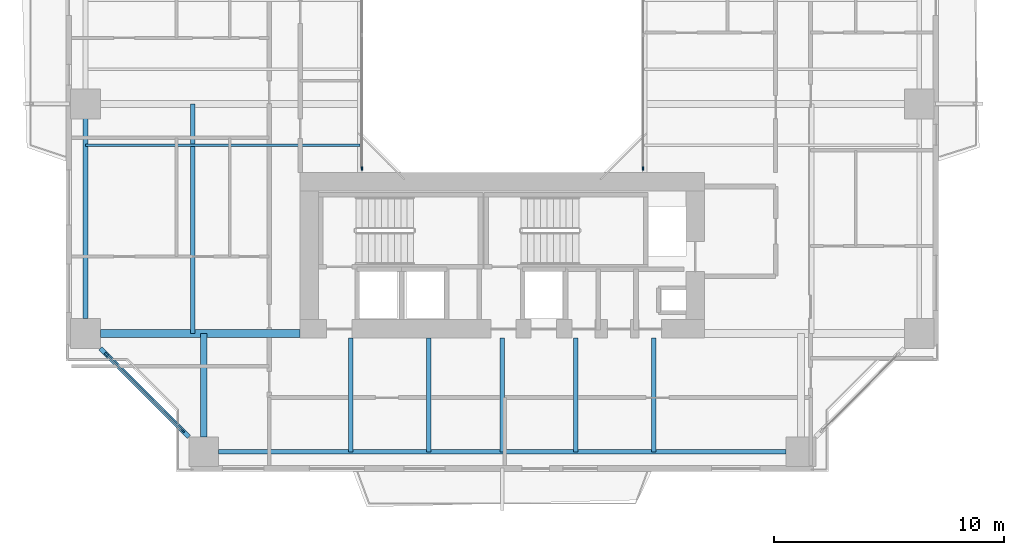
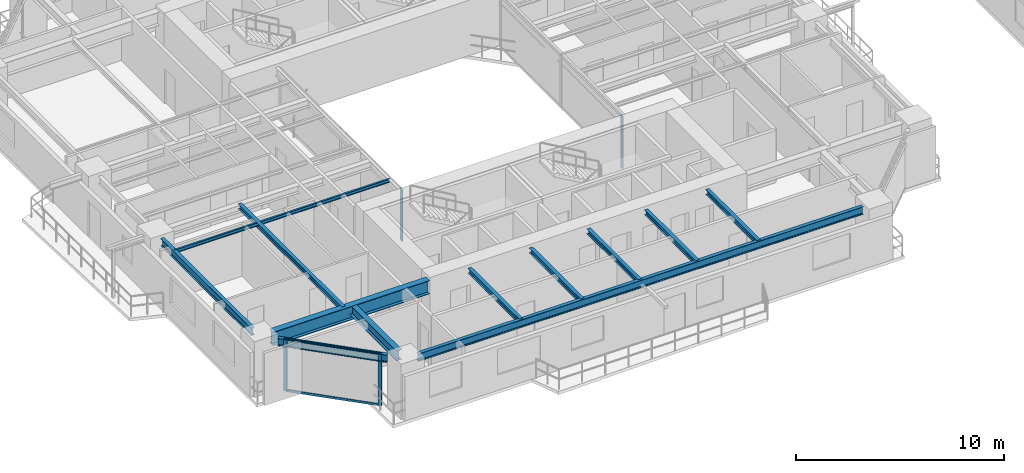
# One storey, part 2 of 23: 12 beams, 6 members, 3 elements without a shape of their own.
"""IFC4 building model written with IfcOpenShell, lengths in metres."""

from ifc_helpers import new_model, si_unit, direction, frame, origin, origin_2d, place, context, subcontext, project, spatial, rectangle, i_section, extrude, source, transform, mapped, material, layer, layer_set, material_profile, profile_set, type_object, element, aggregate, save


model = new_model("IFC4")

# Units and contexts
model_context = context("Model", 3, precision=1e-05, world=origin(), true_north=direction((0.0, 1.0)))
body_context = subcontext(model_context, "Body", "Model", "MODEL_VIEW")
ifc_project = project(units=[si_unit("LENGTHUNIT", "METRE"), si_unit("AREAUNIT", "SQUARE_METRE"), si_unit("VOLUMEUNIT", "CUBIC_METRE"), si_unit("PLANEANGLEUNIT", "RADIAN"), si_unit("MASSUNIT", "GRAM", prefix="KILO"), si_unit("THERMODYNAMICTEMPERATUREUNIT", "KELVIN"), si_unit("POWERUNIT", "WATT")], contexts=[model_context])

# Site, building, storey
site_placement = place(None, origin())
site = spatial("IfcSite", under=ifc_project, at=site_placement, CompositionType="ELEMENT")
building_placement = place(site_placement, origin())
building = spatial("IfcBuilding", under=site, at=building_placement, Name="Qiaomeng Ring Towers", CompositionType="ELEMENT")
storey_placement = place(building_placement, frame((0.0, 0.0, 32.75)))
storey = spatial("IfcBuildingStorey", under=building, at=storey_placement, Name="L08", CompositionType="ELEMENT", Elevation=32.75)

# Beams
ifc_material_1 = material(Name="Steel Q355B", Category="steel")
ifc_material_profile_1 = material_profile(ifc_material_1, i_section(OverallWidth=0.199951171875, OverallDepth=0.449951171875, WebThickness=0.009033203125, FlangeThickness=0.013916015625, FilletRadius=0.01806640625, at=origin_2d()), Name="HN 450x200x9x14")
ifc_profile_set_1 = profile_set([ifc_material_profile_1], Name="Steel Q355B")
beam_type_1 = type_object("IfcBeamType", Name="STR-BM-HN450", PredefinedType="SPANDREL", material=ifc_profile_set_1)
shared_shape_1 = source(origin(), body_context, "Body", "SweptSolid", [
    extrude(i_section(OverallWidth=0.199951171875, OverallDepth=0.449951171875, WebThickness=0.009033203125, FlangeThickness=0.013916015625, FilletRadius=0.01806640625, at=origin_2d()), origin(), (0.0, 0.0, 1.0), 24.7021484375),
])
beam_1_placement = place(storey_placement, frame((6.64892578125, 4.85009765625, 2.844970703125), z_axis=(1.0, 0.0, 0.0), x_axis=(0.0, 1.0, 0.0)))
element("IfcBeam", 1, at=beam_1_placement, inside=storey, type_object=beam_type_1, Name="L08 beam STR-SP-L08-T1-S1-S2", PredefinedType="SPANDREL", context=body_context, shape_type="MappedRepresentation", body=[
    mapped(shared_shape_1, transform((0.0, 0.0, 0.0), x_axis=(1.0, 0.0, 0.0), y_axis=(0.0, 1.0, 0.0), z_axis=(0.0, 0.0, 1.0), scale=1.0)),
])
shared_shape_2 = source(origin(), body_context, "Body", "SweptSolid", [
    extrude(i_section(OverallWidth=0.199951171875, OverallDepth=0.449951171875, WebThickness=0.009033203125, FlangeThickness=0.013916015625, FilletRadius=0.01806640625, at=origin_2d()), origin(), (0.0, 0.0, 1.0), 5.446533203125),
])
beam_2_placement = place(storey_placement, frame((1.499267578125, 9.3505859375, 2.844970703125), z_axis=(0.707106781187, -0.707106781187, 0.0), x_axis=(0.707106781187, 0.707106781187, 0.0)))
element("IfcBeam", 2, at=beam_2_placement, inside=storey, type_object=beam_type_1, Name="L08 beam STR-SP-L08-T1-W1-S1", PredefinedType="SPANDREL", context=body_context, shape_type="MappedRepresentation", body=[
    mapped(shared_shape_2, transform((0.0, 0.0, 0.0), x_axis=(1.0, 0.0, 0.0), y_axis=(0.0, 1.0, 0.0), z_axis=(0.0, 0.0, 1.0), scale=1.0)),
])
shared_shape_3 = source(origin(), body_context, "Body", "SweptSolid", [
    extrude(i_section(OverallWidth=0.199951171875, OverallDepth=0.449951171875, WebThickness=0.009033203125, FlangeThickness=0.013916015625, FilletRadius=0.01806640625, at=origin_2d()), origin(), (0.0, 0.0, 1.0), 8.7021484375),
])
beam_3_placement = place(storey_placement, frame((0.85009765625, 19.35107421875, 2.844970703125), z_axis=(0.0, -1.0, 0.0), x_axis=(1.0, 0.0, 0.0)))
element("IfcBeam", 3, at=beam_3_placement, inside=storey, type_object=beam_type_1, Name="L08 beam STR-SP-L08-T1-W2-W1", PredefinedType="SPANDREL", context=body_context, shape_type="MappedRepresentation", body=[
    mapped(shared_shape_3, transform((0.0, 0.0, 0.0), x_axis=(1.0, 0.0, 0.0), y_axis=(0.0, 1.0, 0.0), z_axis=(0.0, 0.0, 1.0), scale=1.0)),
])
ifc_material_2 = material(Name="Steel Q390GJC", Category="steel")
ifc_material_profile_2 = material_profile(ifc_material_2, i_section(OverallWidth=0.35009765625, OverallDepth=0.800048828125, WebThickness=0.01611328125, FlangeThickness=0.028076171875, at=origin_2d()), Name="WH 800x350x16x28")
ifc_profile_set_2 = profile_set([ifc_material_profile_2], Name="Steel Q390GJC")
beam_type_2 = type_object("IfcBeamType", Name="STR-BM-WH800", PredefinedType="BEAM", material=ifc_profile_set_2)
shared_shape_4 = source(origin(), body_context, "Body", "SweptSolid", [
    extrude(i_section(OverallWidth=0.35009765625, OverallDepth=0.800048828125, WebThickness=0.01611328125, FlangeThickness=0.028076171875, at=origin_2d()), origin(), (0.0, 0.0, 1.0), 8.700927734375),
])
beam_4_placement = place(storey_placement, frame((1.4990234375, 10.0, 2.669921875), z_axis=(1.0, 0.0, 0.0), x_axis=(0.0, 1.0, 0.0)))
element("IfcBeam", 4, at=beam_4_placement, inside=storey, type_object=beam_type_2, Name="L08 beam STR-BM-L08-T1-RAD-W1", PredefinedType="BEAM", context=body_context, shape_type="MappedRepresentation", body=[
    mapped(shared_shape_4, transform((0.0, 0.0, 0.0), x_axis=(1.0, 0.0, 0.0), y_axis=(0.0, 1.0, 0.0), z_axis=(0.0, 0.0, 1.0), scale=1.0)),
])
ifc_material_profile_3 = material_profile(ifc_material_1, i_section(OverallWidth=0.300048828125, OverallDepth=0.587890625, WebThickness=0.011962890625, FlangeThickness=0.02001953125, FilletRadius=0.028076171875, at=origin_2d()), Name="HM 588x300x12x20")
ifc_profile_set_3 = profile_set([ifc_material_profile_3], Name="Steel Q355B")
beam_type_3 = type_object("IfcBeamType", Name="STR-BM-HM588", PredefinedType="BEAM", material=ifc_profile_set_3)
shared_shape_5 = source(origin(), body_context, "Body", "SweptSolid", [
    extrude(i_section(OverallWidth=0.300048828125, OverallDepth=0.587890625, WebThickness=0.011962890625, FlangeThickness=0.02001953125, FilletRadius=0.028076171875, at=origin_2d()), origin(), (0.0, 0.0, 1.0), 4.5009765625),
])
beam_5_placement = place(storey_placement, frame((6.0, 5.4990234375, 2.77587890625), z_axis=(0.0, 1.0, 0.0), x_axis=(-1.0, 0.0, 0.0)))
element("IfcBeam", 5, at=beam_5_placement, inside=storey, type_object=beam_type_3, Name="L08 beam STR-BM-L08-T1-RAD-S1", PredefinedType="BEAM", context=body_context, shape_type="MappedRepresentation", body=[
    mapped(shared_shape_5, transform((0.0, 0.0, 0.0), x_axis=(1.0, 0.0, 0.0), y_axis=(0.0, 1.0, 0.0), z_axis=(0.0, 0.0, 1.0), scale=1.0)),
])
ifc_material_profile_4 = material_profile(ifc_material_1, i_section(OverallWidth=0.199951171875, OverallDepth=0.2939453125, WebThickness=0.008056640625, FlangeThickness=0.011962890625, FilletRadius=0.01806640625, at=origin_2d()), Name="HM 294x200x8x12")
ifc_profile_set_4 = profile_set([ifc_material_profile_4], Name="Steel Q355B")
beam_type_4 = type_object("IfcBeamType", Name="STR-BM-HM294", PredefinedType="JOIST", material=ifc_profile_set_4)
shared_shape_6 = source(origin(), body_context, "Body", "SweptSolid", [
    extrude(i_section(OverallWidth=0.199951171875, OverallDepth=0.2939453125, WebThickness=0.008056640625, FlangeThickness=0.011962890625, FilletRadius=0.01806640625, at=origin_2d()), origin(), (0.0, 0.0, 1.0), 4.949951171875),
])
for number, where, z_axis, x_axis, name in (
    (6, (12.39990234375, 4.85009765625, 2.923095703125), (0.0, 1.0, 0.0), (-1.0, 0.0, 0.0), "L08 beam STR-JST-L08-T1S-1"),
    (7, (15.800048828125, 4.85009765625, 2.923095703125), (0.0, 1.0, 0.0), (-1.0, 0.0, 0.0), "L08 beam STR-JST-L08-T1S-2"),
    (8, (19.0, 4.85009765625, 2.923095703125), (0.0, 1.0, 0.0), (-1.0, 0.0, 0.0), "L08 beam STR-JST-L08-T1S-3"),
    (9, (22.199951171875, 4.85009765625, 2.923095703125), (0.0, 1.0, 0.0), (-1.0, 0.0, 0.0), "L08 beam STR-JST-L08-T1S-4"),
    (10, (25.60009765625, 4.85009765625, 2.923095703125), (0.0, 1.0, 0.0), (-1.0, 0.0, 0.0), "L08 beam STR-JST-L08-T1S-5"),
):
    element("IfcBeam", number, at=place(storey_placement, frame(where, z_axis=z_axis, x_axis=x_axis)), inside=storey, type_object=beam_type_4, Name=name, PredefinedType="JOIST", context=body_context, shape_type="MappedRepresentation", body=[
        mapped(shared_shape_6, transform((0.0, 0.0, 0.0), x_axis=(1.0, 0.0, 0.0), y_axis=(0.0, 1.0, 0.0), z_axis=(0.0, 0.0, 1.0), scale=1.0)),
    ])
ifc_material_profile_5 = material_profile(ifc_material_1, i_section(OverallWidth=0.10009765625, OverallDepth=0.199951171875, WebThickness=0.005615234375, FlangeThickness=0.008056640625, FilletRadius=0.010986328125, at=origin_2d()), Name="HN 200x100x5.5x8")
ifc_profile_set_5 = profile_set([ifc_material_profile_5], Name="Steel Q355B")
beam_type_5 = type_object("IfcBeamType", Name="STR-BM-HN200", PredefinedType="JOIST", material=ifc_profile_set_5)
shared_shape_7 = source(origin(), body_context, "Body", "SweptSolid", [
    extrude(i_section(OverallWidth=0.10009765625, OverallDepth=0.199951171875, WebThickness=0.005615234375, FlangeThickness=0.008056640625, FilletRadius=0.010986328125, at=origin_2d()), origin(), (0.0, 0.0, 1.0), 11.949951171875),
])
beam_6_placement = place(storey_placement, frame((0.85009765625, 18.199951171875, 2.969970703125), z_axis=(1.0, 0.0, 0.0), x_axis=(0.0, 1.0, 0.0)))
element("IfcBeam", 11, at=beam_6_placement, inside=storey, type_object=beam_type_5, Name="L08 beam STR-JST-L08-T1W-1", PredefinedType="JOIST", context=body_context, shape_type="MappedRepresentation", body=[
    mapped(shared_shape_7, transform((0.0, 0.0, 0.0), x_axis=(1.0, 0.0, 0.0), y_axis=(0.0, 1.0, 0.0), z_axis=(0.0, 0.0, 1.0), scale=1.0)),
])
shared_shape_8 = source(origin(), body_context, "Body", "SweptSolid", [
    extrude(i_section(OverallWidth=0.199951171875, OverallDepth=0.2939453125, WebThickness=0.008056640625, FlangeThickness=0.011962890625, FilletRadius=0.01806640625, at=origin_2d()), origin(), (0.0, 0.0, 1.0), 10.0),
])
beam_7_placement = place(storey_placement, frame((5.52490234375, 10.0, 2.923095703125), z_axis=(0.0, 1.0, 0.0), x_axis=(-1.0, 0.0, 0.0)))
element("IfcBeam", 12, at=beam_7_placement, inside=storey, type_object=beam_type_4, Name="L08 beam STR-JST-L08-T1C-WS", PredefinedType="JOIST", context=body_context, shape_type="MappedRepresentation", body=[
    mapped(shared_shape_8, transform((0.0, 0.0, 0.0), x_axis=(1.0, 0.0, 0.0), y_axis=(0.0, 1.0, 0.0), z_axis=(0.0, 0.0, 1.0), scale=1.0)),
])

# Curtain wall, member
ifc_material_3 = material(Name="Fluorocarbon dark-grey aluminium", Category="aluminium")
ifc_layer_1 = layer(ifc_material_3, 0.139892578125, Name="Fluorocarbon dark-grey aluminium")
ifc_layer_set_1 = layer_set([ifc_layer_1], Name="Fluorocarbon dark-grey aluminium")
curtain_wall_type_1 = type_object("IfcCurtainWallType", Name="ARC-CW-4", PredefinedType="NOTDEFINED", material=ifc_layer_set_1)
curtain_wall_1_placement = place(storey_placement, origin())
curtain_wall_1 = element("IfcCurtainWall", 13, at=curtain_wall_1_placement, inside=storey, type_object=curtain_wall_type_1, Name="L08 Curtain Wall CW4", PredefinedType="NOTDEFINED")
ifc_material_profile_6 = material_profile(ifc_material_3, rectangle(XDim=0.06494140625, YDim=0.159912109375, at=origin_2d()), Name="ALU MULL 65x160")
ifc_profile_set_6 = profile_set([ifc_material_profile_6], Name="Fluorocarbon dark-grey aluminium")
member_type_1 = type_object("IfcMemberType", Name="ARC-CWM-140", PredefinedType="MULLION", material=ifc_profile_set_6)
shared_shape_9 = source(origin(), body_context, "Body", "SweptSolid", [
    extrude(rectangle(XDim=0.06494140625, YDim=0.159912109375, at=origin_2d()), origin(), (0.0, 0.0, 1.0), 3.070068359375),
])
member_1_placement = place(storey_placement, frame((12.8798828125, 17.1826171875, 0.0), z_axis=(0.0, 0.0, 1.0), x_axis=(-1.0, 0.0, 0.0)))
member_1 = element("IfcMember", 14, at=member_1_placement, type_object=member_type_1, Name="CW4 mullion 1", PredefinedType="MULLION", context=body_context, shape_type="MappedRepresentation", body=[
    mapped(shared_shape_9, transform((0.0, 0.0, 0.0), x_axis=(1.0, 0.0, 0.0), y_axis=(0.0, 1.0, 0.0), z_axis=(0.0, 0.0, 1.0), scale=1.0)),
])
aggregate(curtain_wall_1, [member_1])

curtain_wall_2_placement = place(storey_placement, origin())
curtain_wall_2 = element("IfcCurtainWall", 15, at=curtain_wall_2_placement, inside=storey, type_object=curtain_wall_type_1, Name="L08 Curtain Wall CW4", PredefinedType="NOTDEFINED")
member_2_placement = place(storey_placement, frame((25.1201171875, 17.1826171875, 0.0), z_axis=(0.0, 0.0, 1.0), x_axis=(-1.0, 0.0, 0.0)))
member_2 = element("IfcMember", 16, at=member_2_placement, type_object=member_type_1, Name="CW4 mullion 1", PredefinedType="MULLION", context=body_context, shape_type="MappedRepresentation", body=[
    mapped(shared_shape_9, transform((0.0, 0.0, 0.0), x_axis=(1.0, 0.0, 0.0), y_axis=(0.0, 1.0, 0.0), z_axis=(0.0, 0.0, 1.0), scale=1.0)),
])
aggregate(curtain_wall_2, [member_2])

# Curtain wall, members
ifc_layer_2 = layer(ifc_material_3, 0.159912109375, Name="Fluorocarbon dark-grey aluminium")
ifc_layer_set_2 = layer_set([ifc_layer_2], Name="Fluorocarbon dark-grey aluminium")
curtain_wall_type_2 = type_object("IfcCurtainWallType", Name="ARC-CW-2", PredefinedType="NOTDEFINED", material=ifc_layer_set_2)
curtain_wall_3_placement = place(storey_placement, origin())
curtain_wall_3 = element("IfcCurtainWall", 17, at=curtain_wall_3_placement, inside=storey, type_object=curtain_wall_type_2, Name="L08 Curtain Wall CW2", PredefinedType="NOTDEFINED")
ifc_material_profile_7 = material_profile(ifc_material_3, rectangle(XDim=0.070068359375, YDim=0.179931640625, at=origin_2d()), Name="ALU MULL 70x180")
ifc_profile_set_7 = profile_set([ifc_material_profile_7], Name="Fluorocarbon dark-grey aluminium")
member_type_2 = type_object("IfcMemberType", Name="ARC-CWM-160", PredefinedType="MULLION", material=ifc_profile_set_7)
shared_shape_10 = source(origin(), body_context, "Body", "SweptSolid", [
    extrude(rectangle(XDim=0.070068359375, YDim=0.179931640625, at=origin_2d()), origin(), (0.0, 0.0, 1.0), 3.070068359375),
])
member_3_placement = place(storey_placement, frame((1.7646484375, 9.085205078125, 0.0), z_axis=(0.0, 0.0, 1.0), x_axis=(0.707106781187, 0.707106781187, 0.0)))
member_3 = element("IfcMember", 18, at=member_3_placement, type_object=member_type_2, Name="CW2 mullion 1", PredefinedType="MULLION", context=body_context, shape_type="MappedRepresentation", body=[
    mapped(shared_shape_10, transform((0.0, 0.0, 0.0), x_axis=(1.0, 0.0, 0.0), y_axis=(0.0, 1.0, 0.0), z_axis=(0.0, 0.0, 1.0), scale=1.0)),
])
member_4_placement = place(storey_placement, frame((5.085205078125, 5.7646484375, 0.0), z_axis=(0.0, 0.0, 1.0), x_axis=(0.707106781187, 0.707106781187, 0.0)))
member_4 = element("IfcMember", 19, at=member_4_placement, type_object=member_type_2, Name="CW2 mullion 2", PredefinedType="MULLION", context=body_context, shape_type="MappedRepresentation", body=[
    mapped(shared_shape_10, transform((0.0, 0.0, 0.0), x_axis=(1.0, 0.0, 0.0), y_axis=(0.0, 1.0, 0.0), z_axis=(0.0, 0.0, 1.0), scale=1.0)),
])
ifc_material_profile_8 = material_profile(ifc_material_3, rectangle(XDim=0.06494140625, YDim=0.1298828125, at=origin_2d()), Name="ALU TRAN 65x130")
ifc_profile_set_8 = profile_set([ifc_material_profile_8], Name="Fluorocarbon dark-grey aluminium")
member_type_3 = type_object("IfcMemberType", Name="ARC-CWT-120", PredefinedType="USERDEFINED", material=ifc_profile_set_8)
shared_shape_11 = source(origin(), body_context, "Body", "SweptSolid", [
    extrude(rectangle(XDim=0.06494140625, YDim=0.1298828125, at=origin_2d()), origin(), (0.0, 0.0, 1.0), 4.6259765625),
])
member_5_placement = place(storey_placement, frame((1.78955078125, 9.060546875, 0.032470703125), z_axis=(0.707106781187, -0.707106781187, 0.0), x_axis=(0.707106781187, 0.707106781187, 0.0)))
member_5 = element("IfcMember", 20, at=member_5_placement, type_object=member_type_3, Name="CW2 transom 1.1", ObjectType="TRANSOM", PredefinedType="USERDEFINED", context=body_context, shape_type="MappedRepresentation", body=[
    mapped(shared_shape_11, transform((0.0, 0.0, 0.0), x_axis=(1.0, 0.0, 0.0), y_axis=(0.0, 1.0, 0.0), z_axis=(0.0, 0.0, 1.0), scale=1.0)),
])
member_6_placement = place(storey_placement, frame((1.78955078125, 9.060546875, 3.03759765625), z_axis=(0.707106781187, -0.707106781187, 0.0), x_axis=(0.707106781187, 0.707106781187, 0.0)))
member_6 = element("IfcMember", 21, at=member_6_placement, type_object=member_type_3, Name="CW2 transom 1.2", ObjectType="TRANSOM", PredefinedType="USERDEFINED", context=body_context, shape_type="MappedRepresentation", body=[
    mapped(shared_shape_11, transform((0.0, 0.0, 0.0), x_axis=(1.0, 0.0, 0.0), y_axis=(0.0, 1.0, 0.0), z_axis=(0.0, 0.0, 1.0), scale=1.0)),
])
aggregate(curtain_wall_3, [member_3, member_4, member_5, member_6])

save(model, "model.ifc")
